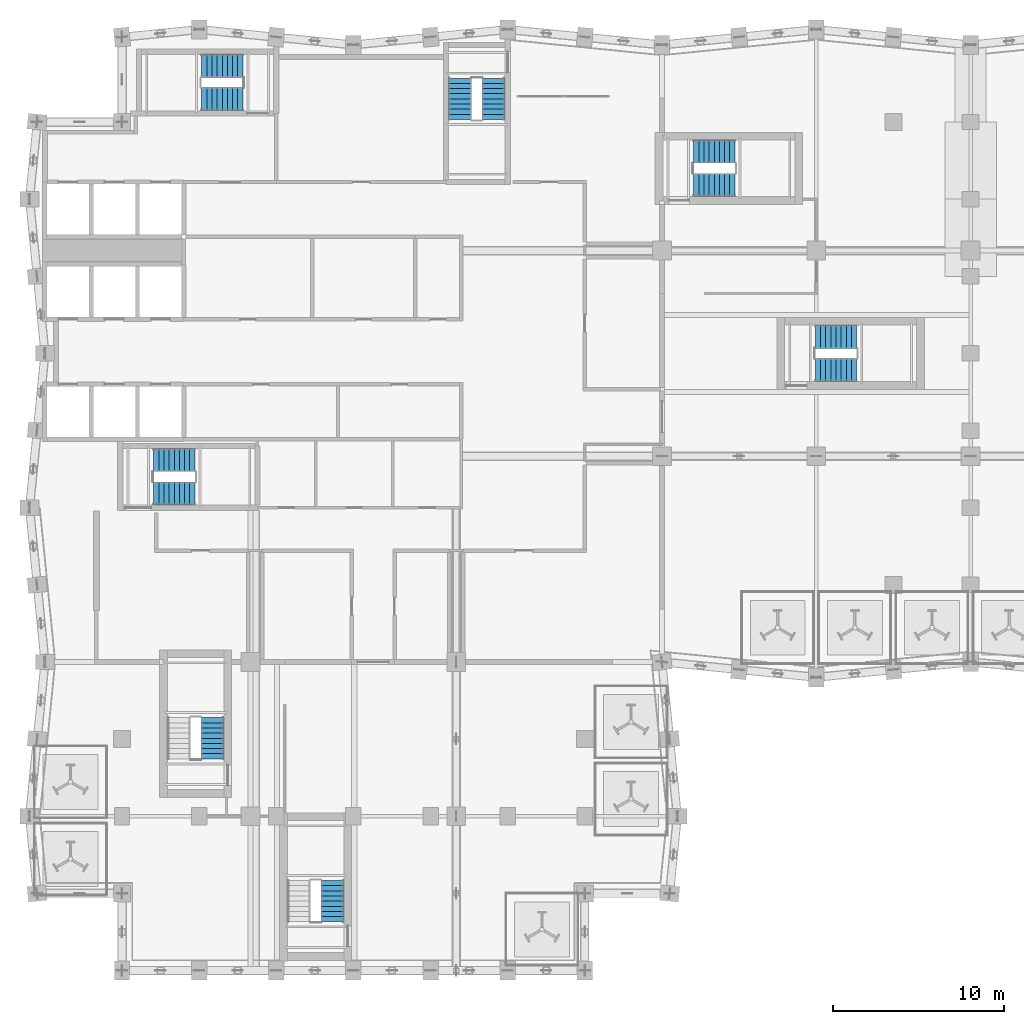
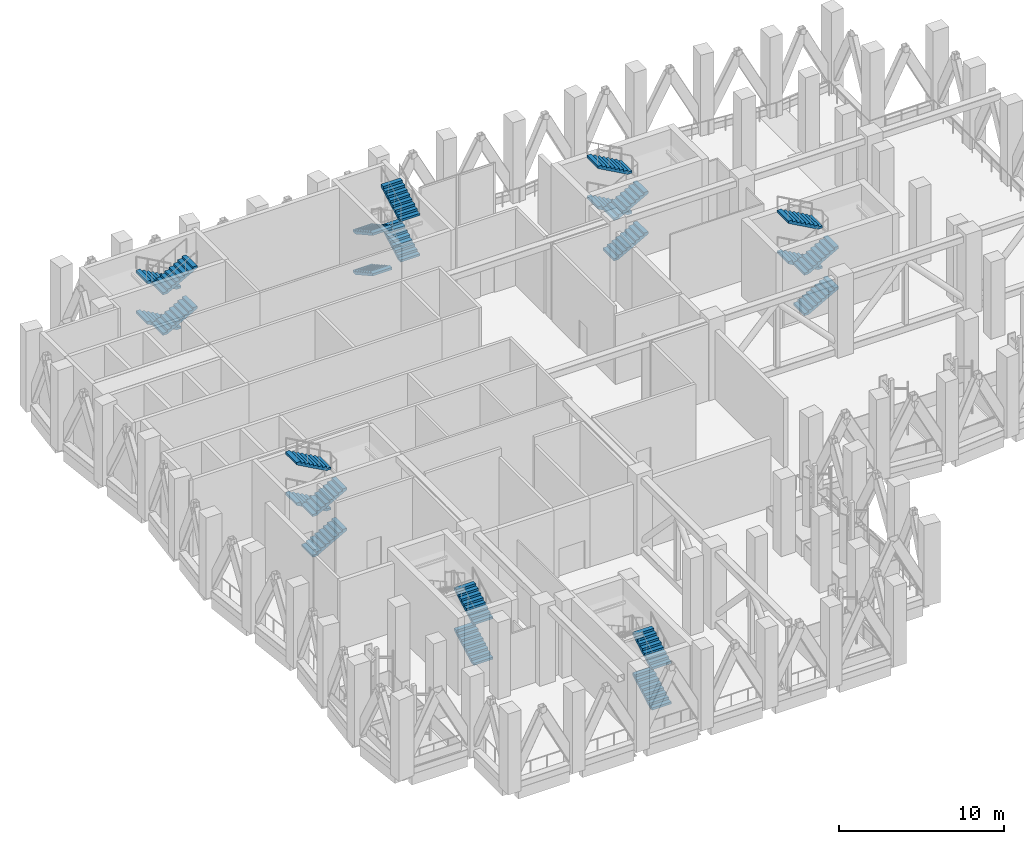
# One storey, part 18 of 28: 24 stair flights, 7 elements without a shape of their own.
"""IFC4 building model written with IfcOpenShell, lengths in metres."""

from ifc_helpers import new_model, si_unit, direction, frame, origin, place, context, subcontext, project, spatial, polyline, outline, extrude, material, type_object, element, aggregate, save


model = new_model("IFC4")

# Units and contexts
model_context = context("Model", 3, precision=1e-05, world=origin(), true_north=direction((0.0, 1.0)))
body_context = subcontext(model_context, "Body", "Model", "MODEL_VIEW")
ifc_project = project(units=[si_unit("LENGTHUNIT", "METRE"), si_unit("AREAUNIT", "SQUARE_METRE"), si_unit("VOLUMEUNIT", "CUBIC_METRE"), si_unit("PLANEANGLEUNIT", "RADIAN"), si_unit("MASSUNIT", "GRAM", prefix="KILO")], contexts=[model_context])

# Site, building, storey
site_placement = place(None, origin())
site = spatial("IfcSite", under=ifc_project, at=site_placement, CompositionType="ELEMENT")
building_placement = place(site_placement, origin())
building = spatial("IfcBuilding", under=site, at=building_placement, Name="Brondeck Convention Tower", CompositionType="ELEMENT")
storey_placement = place(building_placement, frame((0.0, 0.0, 192.800048828125)))
storey = spatial("IfcBuildingStorey", under=building, at=storey_placement, Name="L47", CompositionType="ELEMENT", Elevation=192.800048828125)

# Stair, stair flights
ifc_material = material(Name="Precast concrete C50/60", Category="concrete")
stair_type = type_object("IfcStairType", Name="Core stair 36 risers 166.67 mm riser 300 mm going 1350 wide", PredefinedType="HALF_TURN_STAIR", material=ifc_material)
stair_1_placement = place(storey_placement, origin())
stair_1 = element("IfcStair", 1, at=stair_1_placement, inside=storey, type_object=stair_type, Name="ST-1 L47 stair", PredefinedType="HALF_TURN_STAIR")
stair_flight_type = type_object("IfcStairFlightType", Name="Core stair flight 36 risers 166.67 mm riser 300 mm going 1350 wide", PredefinedType="STRAIGHT", material=ifc_material)
stair_flight_1_placement = place(storey_placement, frame((6.35009765625, 36.824951171875, 0.0), z_axis=(0.0, 0.0, 1.0), x_axis=(1.0, 0.0, 0.0)))
stair_flight_1 = element("IfcStairFlight", 2, at=stair_flight_1_placement, type_object=stair_flight_type, Name="ST-1 flight 1", NumberOfRisers=9, NumberOfTreads=8, PredefinedType="STRAIGHT", RiserHeight=0.166666667, TreadLength=0.3, context=body_context, shape_type="SweptSolid", body=[
    extrude(outline(polyline([(0.0, 0.0), (0.0, 0.166748046875), (0.300048828125, 0.166748046875), (0.300048828125, 0.333251953125), (0.60009765625, 0.333251953125), (0.60009765625, 0.5), (0.89990234375, 0.5), (0.89990234375, 0.666748046875), (1.199951171875, 0.666748046875), (1.199951171875, 0.833251953125), (1.5, 0.833251953125), (1.5, 1.0), (1.800048828125, 1.0), (1.800048828125, 1.166748046875), (2.10009765625, 1.166748046875), (2.10009765625, 1.333251953125), (2.39990234375, 1.333251953125), (2.39990234375, 1.5), (2.39990234375, 1.161865234375), (0.30859375, 0.0), (0.0, 0.0)])), frame((0.0, 0.675048828125, 0.0), z_axis=(0.0, -1.0, 0.0), x_axis=(1.0, 0.0, 0.0)), (0.0, 0.0, 1.0), 1.35009765625),
])
stair_flight_2_placement = place(storey_placement, frame((8.75, 38.77490234375, 1.5), z_axis=(0.0, 0.0, 1.0), x_axis=(-1.0, 0.0, 0.0)))
stair_flight_2 = element("IfcStairFlight", 3, at=stair_flight_2_placement, type_object=stair_flight_type, Name="ST-1 flight 2", NumberOfRisers=9, NumberOfTreads=8, PredefinedType="STRAIGHT", RiserHeight=0.166666667, TreadLength=0.3, context=body_context, shape_type="SweptSolid", body=[
    extrude(outline(polyline([(0.0, 0.0), (0.0, 0.166748046875), (0.300048828125, 0.166748046875), (0.300048828125, 0.333251953125), (0.60009765625, 0.333251953125), (0.60009765625, 0.5), (0.89990234375, 0.5), (0.89990234375, 0.666748046875), (1.199951171875, 0.666748046875), (1.199951171875, 0.833251953125), (1.5, 0.833251953125), (1.5, 1.0), (1.800048828125, 1.0), (1.800048828125, 1.166748046875), (2.10009765625, 1.166748046875), (2.10009765625, 1.333251953125), (2.39990234375, 1.333251953125), (2.39990234375, 1.5), (2.39990234375, 1.161865234375), (0.30859375, 0.0), (0.0, 0.0)])), frame((0.0, 0.675048828125, 0.0), z_axis=(0.0, -1.0, 0.0), x_axis=(1.0, 0.0, 0.0)), (0.0, 0.0, 1.0), 1.35009765625),
])
stair_flight_3_placement = place(storey_placement, frame((6.35009765625, 36.824951171875, 3.0), z_axis=(0.0, 0.0, 1.0), x_axis=(1.0, 0.0, 0.0)))
stair_flight_3 = element("IfcStairFlight", 4, at=stair_flight_3_placement, type_object=stair_flight_type, Name="ST-1 flight 3", NumberOfRisers=9, NumberOfTreads=8, PredefinedType="STRAIGHT", RiserHeight=0.166666667, TreadLength=0.3, context=body_context, shape_type="SweptSolid", body=[
    extrude(outline(polyline([(0.0, 0.0), (0.0, 0.166748046875), (0.300048828125, 0.166748046875), (0.300048828125, 0.333251953125), (0.60009765625, 0.333251953125), (0.60009765625, 0.5), (0.89990234375, 0.5), (0.89990234375, 0.666748046875), (1.199951171875, 0.666748046875), (1.199951171875, 0.833251953125), (1.5, 0.833251953125), (1.5, 1.0), (1.800048828125, 1.0), (1.800048828125, 1.166748046875), (2.10009765625, 1.166748046875), (2.10009765625, 1.333251953125), (2.39990234375, 1.333251953125), (2.39990234375, 1.5), (2.39990234375, 1.161865234375), (0.30859375, 0.0), (0.0, 0.0)])), frame((0.0, 0.675048828125, 0.0), z_axis=(0.0, -1.0, 0.0), x_axis=(1.0, 0.0, 0.0)), (0.0, 0.0, 1.0), 1.35009765625),
])
stair_flight_4_placement = place(storey_placement, frame((8.75, 38.77490234375, 4.5), z_axis=(0.0, 0.0, 1.0), x_axis=(-1.0, 0.0, 0.0)))
stair_flight_4 = element("IfcStairFlight", 5, at=stair_flight_4_placement, type_object=stair_flight_type, Name="ST-1 flight 4", NumberOfRisers=9, NumberOfTreads=8, PredefinedType="STRAIGHT", RiserHeight=0.166666667, TreadLength=0.3, context=body_context, shape_type="SweptSolid", body=[
    extrude(outline(polyline([(0.0, 0.0), (0.0, 0.166748046875), (0.300048828125, 0.166748046875), (0.300048828125, 0.333251953125), (0.60009765625, 0.333251953125), (0.60009765625, 0.5), (0.89990234375, 0.5), (0.89990234375, 0.666748046875), (1.199951171875, 0.666748046875), (1.199951171875, 0.833251953125), (1.5, 0.833251953125), (1.5, 1.0), (1.800048828125, 1.0), (1.800048828125, 1.166748046875), (2.10009765625, 1.166748046875), (2.10009765625, 1.333251953125), (2.39990234375, 1.333251953125), (2.39990234375, 1.5), (2.39990234375, 1.161865234375), (0.30859375, 0.0), (0.0, 0.0)])), frame((0.0, 0.675048828125, 0.0), z_axis=(0.0, -1.0, 0.0), x_axis=(1.0, 0.0, 0.0)), (0.0, 0.0, 1.0), 1.35009765625),
])
aggregate(stair_1, [stair_flight_1, stair_flight_2, stair_flight_3, stair_flight_4])

stair_2_placement = place(storey_placement, origin())
stair_2 = element("IfcStair", 6, at=stair_2_placement, inside=storey, type_object=stair_type, Name="ST-2 L47 stair", PredefinedType="HALF_TURN_STAIR")
stair_flight_5_placement = place(storey_placement, frame((24.22509765625, 61.050048828125, 0.0), z_axis=(0.0, 0.0, 1.0), x_axis=(0.0, -1.0, 0.0)))
stair_flight_5 = element("IfcStairFlight", 7, at=stair_flight_5_placement, type_object=stair_flight_type, Name="ST-2 flight 1", NumberOfRisers=9, NumberOfTreads=8, PredefinedType="STRAIGHT", RiserHeight=0.166666667, TreadLength=0.3, context=body_context, shape_type="SweptSolid", body=[
    extrude(outline(polyline([(0.0, 0.0), (0.0, 0.166748046875), (0.300048828125, 0.166748046875), (0.300048828125, 0.333251953125), (0.60009765625, 0.333251953125), (0.60009765625, 0.5), (0.89990234375, 0.5), (0.89990234375, 0.666748046875), (1.199951171875, 0.666748046875), (1.199951171875, 0.833251953125), (1.5, 0.833251953125), (1.5, 1.0), (1.800048828125, 1.0), (1.800048828125, 1.166748046875), (2.10009765625, 1.166748046875), (2.10009765625, 1.333251953125), (2.39990234375, 1.333251953125), (2.39990234375, 1.5), (2.39990234375, 1.161865234375), (0.30859375, 0.0), (0.0, 0.0)])), frame((0.0, 0.675048828125, 0.0), z_axis=(0.0, -1.0, 0.0), x_axis=(1.0, 0.0, 0.0)), (0.0, 0.0, 1.0), 1.35009765625),
])
stair_flight_6_placement = place(storey_placement, frame((26.175048828125, 58.64990234375, 1.5), z_axis=(0.0, 0.0, 1.0), x_axis=(0.0, 1.0, 0.0)))
stair_flight_6 = element("IfcStairFlight", 8, at=stair_flight_6_placement, type_object=stair_flight_type, Name="ST-2 flight 2", NumberOfRisers=9, NumberOfTreads=8, PredefinedType="STRAIGHT", RiserHeight=0.166666667, TreadLength=0.3, context=body_context, shape_type="SweptSolid", body=[
    extrude(outline(polyline([(0.0, 0.0), (0.0, 0.166748046875), (0.300048828125, 0.166748046875), (0.300048828125, 0.333251953125), (0.60009765625, 0.333251953125), (0.60009765625, 0.5), (0.89990234375, 0.5), (0.89990234375, 0.666748046875), (1.199951171875, 0.666748046875), (1.199951171875, 0.833251953125), (1.5, 0.833251953125), (1.5, 1.0), (1.800048828125, 1.0), (1.800048828125, 1.166748046875), (2.10009765625, 1.166748046875), (2.10009765625, 1.333251953125), (2.39990234375, 1.333251953125), (2.39990234375, 1.5), (2.39990234375, 1.161865234375), (0.30859375, 0.0), (0.0, 0.0)])), frame((0.0, 0.675048828125, 0.0), z_axis=(0.0, -1.0, 0.0), x_axis=(1.0, 0.0, 0.0)), (0.0, 0.0, 1.0), 1.35009765625),
])
stair_flight_7_placement = place(storey_placement, frame((24.22509765625, 61.050048828125, 3.0), z_axis=(0.0, 0.0, 1.0), x_axis=(0.0, -1.0, 0.0)))
stair_flight_7 = element("IfcStairFlight", 9, at=stair_flight_7_placement, type_object=stair_flight_type, Name="ST-2 flight 3", NumberOfRisers=9, NumberOfTreads=8, PredefinedType="STRAIGHT", RiserHeight=0.166666667, TreadLength=0.3, context=body_context, shape_type="SweptSolid", body=[
    extrude(outline(polyline([(0.0, 0.0), (0.0, 0.166748046875), (0.300048828125, 0.166748046875), (0.300048828125, 0.333251953125), (0.60009765625, 0.333251953125), (0.60009765625, 0.5), (0.89990234375, 0.5), (0.89990234375, 0.666748046875), (1.199951171875, 0.666748046875), (1.199951171875, 0.833251953125), (1.5, 0.833251953125), (1.5, 1.0), (1.800048828125, 1.0), (1.800048828125, 1.166748046875), (2.10009765625, 1.166748046875), (2.10009765625, 1.333251953125), (2.39990234375, 1.333251953125), (2.39990234375, 1.5), (2.39990234375, 1.161865234375), (0.30859375, 0.0), (0.0, 0.0)])), frame((0.0, 0.675048828125, 0.0), z_axis=(0.0, -1.0, 0.0), x_axis=(1.0, 0.0, 0.0)), (0.0, 0.0, 1.0), 1.35009765625),
])
stair_flight_8_placement = place(storey_placement, frame((26.175048828125, 58.64990234375, 4.5), z_axis=(0.0, 0.0, 1.0), x_axis=(0.0, 1.0, 0.0)))
stair_flight_8 = element("IfcStairFlight", 10, at=stair_flight_8_placement, type_object=stair_flight_type, Name="ST-2 flight 4", NumberOfRisers=9, NumberOfTreads=8, PredefinedType="STRAIGHT", RiserHeight=0.166666667, TreadLength=0.3, context=body_context, shape_type="SweptSolid", body=[
    extrude(outline(polyline([(0.0, 0.0), (0.0, 0.166748046875), (0.300048828125, 0.166748046875), (0.300048828125, 0.333251953125), (0.60009765625, 0.333251953125), (0.60009765625, 0.5), (0.89990234375, 0.5), (0.89990234375, 0.666748046875), (1.199951171875, 0.666748046875), (1.199951171875, 0.833251953125), (1.5, 0.833251953125), (1.5, 1.0), (1.800048828125, 1.0), (1.800048828125, 1.166748046875), (2.10009765625, 1.166748046875), (2.10009765625, 1.333251953125), (2.39990234375, 1.333251953125), (2.39990234375, 1.5), (2.39990234375, 1.161865234375), (0.30859375, 0.0), (0.0, 0.0)])), frame((0.0, 0.675048828125, 0.0), z_axis=(0.0, -1.0, 0.0), x_axis=(1.0, 0.0, 0.0)), (0.0, 0.0, 1.0), 1.35009765625),
])
aggregate(stair_2, [stair_flight_5, stair_flight_6, stair_flight_7, stair_flight_8])

stair_3_placement = place(storey_placement, origin())
stair_3 = element("IfcStair", 11, at=stair_3_placement, inside=storey, type_object=stair_type, Name="ST-3 L47 stair", PredefinedType="HALF_TURN_STAIR")
stair_flight_9_placement = place(storey_placement, frame((11.550048828125, 61.77490234375, 0.0), z_axis=(0.0, 0.0, 1.0), x_axis=(-1.0, 0.0, 0.0)))
stair_flight_9 = element("IfcStairFlight", 12, at=stair_flight_9_placement, type_object=stair_flight_type, Name="ST-3 flight 1", NumberOfRisers=9, NumberOfTreads=8, PredefinedType="STRAIGHT", RiserHeight=0.166666667, TreadLength=0.3, context=body_context, shape_type="SweptSolid", body=[
    extrude(outline(polyline([(0.0, 0.0), (0.0, 0.166748046875), (0.300048828125, 0.166748046875), (0.300048828125, 0.333251953125), (0.60009765625, 0.333251953125), (0.60009765625, 0.5), (0.89990234375, 0.5), (0.89990234375, 0.666748046875), (1.199951171875, 0.666748046875), (1.199951171875, 0.833251953125), (1.5, 0.833251953125), (1.5, 1.0), (1.800048828125, 1.0), (1.800048828125, 1.166748046875), (2.10009765625, 1.166748046875), (2.10009765625, 1.333251953125), (2.39990234375, 1.333251953125), (2.39990234375, 1.5), (2.39990234375, 1.161865234375), (0.30859375, 0.0), (0.0, 0.0)])), frame((0.0, 0.675048828125, 0.0), z_axis=(0.0, -1.0, 0.0), x_axis=(1.0, 0.0, 0.0)), (0.0, 0.0, 1.0), 1.35009765625),
])
stair_flight_10_placement = place(storey_placement, frame((9.14990234375, 59.824951171875, 1.5), z_axis=(0.0, 0.0, 1.0), x_axis=(1.0, 0.0, 0.0)))
stair_flight_10 = element("IfcStairFlight", 13, at=stair_flight_10_placement, type_object=stair_flight_type, Name="ST-3 flight 2", NumberOfRisers=9, NumberOfTreads=8, PredefinedType="STRAIGHT", RiserHeight=0.166666667, TreadLength=0.3, context=body_context, shape_type="SweptSolid", body=[
    extrude(outline(polyline([(0.0, 0.0), (0.0, 0.166748046875), (0.300048828125, 0.166748046875), (0.300048828125, 0.333251953125), (0.60009765625, 0.333251953125), (0.60009765625, 0.5), (0.89990234375, 0.5), (0.89990234375, 0.666748046875), (1.199951171875, 0.666748046875), (1.199951171875, 0.833251953125), (1.5, 0.833251953125), (1.5, 1.0), (1.800048828125, 1.0), (1.800048828125, 1.166748046875), (2.10009765625, 1.166748046875), (2.10009765625, 1.333251953125), (2.39990234375, 1.333251953125), (2.39990234375, 1.5), (2.39990234375, 1.161865234375), (0.30859375, 0.0), (0.0, 0.0)])), frame((0.0, 0.675048828125, 0.0), z_axis=(0.0, -1.0, 0.0), x_axis=(1.0, 0.0, 0.0)), (0.0, 0.0, 1.0), 1.35009765625),
])
stair_flight_11_placement = place(storey_placement, frame((11.550048828125, 61.77490234375, 3.0), z_axis=(0.0, 0.0, 1.0), x_axis=(-1.0, 0.0, 0.0)))
stair_flight_11 = element("IfcStairFlight", 14, at=stair_flight_11_placement, type_object=stair_flight_type, Name="ST-3 flight 3", NumberOfRisers=9, NumberOfTreads=8, PredefinedType="STRAIGHT", RiserHeight=0.166666667, TreadLength=0.3, context=body_context, shape_type="SweptSolid", body=[
    extrude(outline(polyline([(0.0, 0.0), (0.0, 0.166748046875), (0.300048828125, 0.166748046875), (0.300048828125, 0.333251953125), (0.60009765625, 0.333251953125), (0.60009765625, 0.5), (0.89990234375, 0.5), (0.89990234375, 0.666748046875), (1.199951171875, 0.666748046875), (1.199951171875, 0.833251953125), (1.5, 0.833251953125), (1.5, 1.0), (1.800048828125, 1.0), (1.800048828125, 1.166748046875), (2.10009765625, 1.166748046875), (2.10009765625, 1.333251953125), (2.39990234375, 1.333251953125), (2.39990234375, 1.5), (2.39990234375, 1.161865234375), (0.30859375, 0.0), (0.0, 0.0)])), frame((0.0, 0.675048828125, 0.0), z_axis=(0.0, -1.0, 0.0), x_axis=(1.0, 0.0, 0.0)), (0.0, 0.0, 1.0), 1.35009765625),
])
stair_flight_12_placement = place(storey_placement, frame((9.14990234375, 59.824951171875, 4.5), z_axis=(0.0, 0.0, 1.0), x_axis=(1.0, 0.0, 0.0)))
stair_flight_12 = element("IfcStairFlight", 15, at=stair_flight_12_placement, type_object=stair_flight_type, Name="ST-3 flight 4", NumberOfRisers=9, NumberOfTreads=8, PredefinedType="STRAIGHT", RiserHeight=0.166666667, TreadLength=0.3, context=body_context, shape_type="SweptSolid", body=[
    extrude(outline(polyline([(0.0, 0.0), (0.0, 0.166748046875), (0.300048828125, 0.166748046875), (0.300048828125, 0.333251953125), (0.60009765625, 0.333251953125), (0.60009765625, 0.5), (0.89990234375, 0.5), (0.89990234375, 0.666748046875), (1.199951171875, 0.666748046875), (1.199951171875, 0.833251953125), (1.5, 0.833251953125), (1.5, 1.0), (1.800048828125, 1.0), (1.800048828125, 1.166748046875), (2.10009765625, 1.166748046875), (2.10009765625, 1.333251953125), (2.39990234375, 1.333251953125), (2.39990234375, 1.5), (2.39990234375, 1.161865234375), (0.30859375, 0.0), (0.0, 0.0)])), frame((0.0, 0.675048828125, 0.0), z_axis=(0.0, -1.0, 0.0), x_axis=(1.0, 0.0, 0.0)), (0.0, 0.0, 1.0), 1.35009765625),
])
aggregate(stair_3, [stair_flight_9, stair_flight_10, stair_flight_11, stair_flight_12])

stair_4_placement = place(storey_placement, origin())
stair_4 = element("IfcStair", 16, at=stair_4_placement, inside=storey, type_object=stair_type, Name="ST-AE L47 stair", PredefinedType="HALF_TURN_STAIR")
stair_flight_13_placement = place(storey_placement, frame((37.85009765625, 54.824951171875, 0.0), z_axis=(0.0, 0.0, 1.0), x_axis=(1.0, 0.0, 0.0)))
stair_flight_13 = element("IfcStairFlight", 17, at=stair_flight_13_placement, type_object=stair_flight_type, Name="ST-AE flight 1", NumberOfRisers=9, NumberOfTreads=8, PredefinedType="STRAIGHT", RiserHeight=0.166666667, TreadLength=0.3, context=body_context, shape_type="SweptSolid", body=[
    extrude(outline(polyline([(0.0, 0.0), (0.0, 0.166748046875), (0.300048828125, 0.166748046875), (0.300048828125, 0.333251953125), (0.60009765625, 0.333251953125), (0.60009765625, 0.5), (0.89990234375, 0.5), (0.89990234375, 0.666748046875), (1.199951171875, 0.666748046875), (1.199951171875, 0.833251953125), (1.5, 0.833251953125), (1.5, 1.0), (1.800048828125, 1.0), (1.800048828125, 1.166748046875), (2.10009765625, 1.166748046875), (2.10009765625, 1.333251953125), (2.39990234375, 1.333251953125), (2.39990234375, 1.5), (2.39990234375, 1.161865234375), (0.30859375, 0.0), (0.0, 0.0)])), frame((0.0, 0.675048828125, 0.0), z_axis=(0.0, -1.0, 0.0), x_axis=(1.0, 0.0, 0.0)), (0.0, 0.0, 1.0), 1.35009765625),
])
stair_flight_14_placement = place(storey_placement, frame((40.25, 56.77490234375, 1.5), z_axis=(0.0, 0.0, 1.0), x_axis=(-1.0, 0.0, 0.0)))
stair_flight_14 = element("IfcStairFlight", 18, at=stair_flight_14_placement, type_object=stair_flight_type, Name="ST-AE flight 2", NumberOfRisers=9, NumberOfTreads=8, PredefinedType="STRAIGHT", RiserHeight=0.166666667, TreadLength=0.3, context=body_context, shape_type="SweptSolid", body=[
    extrude(outline(polyline([(0.0, 0.0), (0.0, 0.166748046875), (0.300048828125, 0.166748046875), (0.300048828125, 0.333251953125), (0.60009765625, 0.333251953125), (0.60009765625, 0.5), (0.89990234375, 0.5), (0.89990234375, 0.666748046875), (1.199951171875, 0.666748046875), (1.199951171875, 0.833251953125), (1.5, 0.833251953125), (1.5, 1.0), (1.800048828125, 1.0), (1.800048828125, 1.166748046875), (2.10009765625, 1.166748046875), (2.10009765625, 1.333251953125), (2.39990234375, 1.333251953125), (2.39990234375, 1.5), (2.39990234375, 1.161865234375), (0.30859375, 0.0), (0.0, 0.0)])), frame((0.0, 0.675048828125, 0.0), z_axis=(0.0, -1.0, 0.0), x_axis=(1.0, 0.0, 0.0)), (0.0, 0.0, 1.0), 1.35009765625),
])
stair_flight_15_placement = place(storey_placement, frame((37.85009765625, 54.824951171875, 3.0), z_axis=(0.0, 0.0, 1.0), x_axis=(1.0, 0.0, 0.0)))
stair_flight_15 = element("IfcStairFlight", 19, at=stair_flight_15_placement, type_object=stair_flight_type, Name="ST-AE flight 3", NumberOfRisers=9, NumberOfTreads=8, PredefinedType="STRAIGHT", RiserHeight=0.166666667, TreadLength=0.3, context=body_context, shape_type="SweptSolid", body=[
    extrude(outline(polyline([(0.0, 0.0), (0.0, 0.166748046875), (0.300048828125, 0.166748046875), (0.300048828125, 0.333251953125), (0.60009765625, 0.333251953125), (0.60009765625, 0.5), (0.89990234375, 0.5), (0.89990234375, 0.666748046875), (1.199951171875, 0.666748046875), (1.199951171875, 0.833251953125), (1.5, 0.833251953125), (1.5, 1.0), (1.800048828125, 1.0), (1.800048828125, 1.166748046875), (2.10009765625, 1.166748046875), (2.10009765625, 1.333251953125), (2.39990234375, 1.333251953125), (2.39990234375, 1.5), (2.39990234375, 1.161865234375), (0.30859375, 0.0), (0.0, 0.0)])), frame((0.0, 0.675048828125, 0.0), z_axis=(0.0, -1.0, 0.0), x_axis=(1.0, 0.0, 0.0)), (0.0, 0.0, 1.0), 1.35009765625),
])
stair_flight_16_placement = place(storey_placement, frame((40.25, 56.77490234375, 4.5), z_axis=(0.0, 0.0, 1.0), x_axis=(-1.0, 0.0, 0.0)))
stair_flight_16 = element("IfcStairFlight", 20, at=stair_flight_16_placement, type_object=stair_flight_type, Name="ST-AE flight 4", NumberOfRisers=9, NumberOfTreads=8, PredefinedType="STRAIGHT", RiserHeight=0.166666667, TreadLength=0.3, context=body_context, shape_type="SweptSolid", body=[
    extrude(outline(polyline([(0.0, 0.0), (0.0, 0.166748046875), (0.300048828125, 0.166748046875), (0.300048828125, 0.333251953125), (0.60009765625, 0.333251953125), (0.60009765625, 0.5), (0.89990234375, 0.5), (0.89990234375, 0.666748046875), (1.199951171875, 0.666748046875), (1.199951171875, 0.833251953125), (1.5, 0.833251953125), (1.5, 1.0), (1.800048828125, 1.0), (1.800048828125, 1.166748046875), (2.10009765625, 1.166748046875), (2.10009765625, 1.333251953125), (2.39990234375, 1.333251953125), (2.39990234375, 1.5), (2.39990234375, 1.161865234375), (0.30859375, 0.0), (0.0, 0.0)])), frame((0.0, 0.675048828125, 0.0), z_axis=(0.0, -1.0, 0.0), x_axis=(1.0, 0.0, 0.0)), (0.0, 0.0, 1.0), 1.35009765625),
])
aggregate(stair_4, [stair_flight_13, stair_flight_14, stair_flight_15, stair_flight_16])

stair_5_placement = place(storey_placement, origin())
stair_5 = element("IfcStair", 21, at=stair_5_placement, inside=storey, type_object=stair_type, Name="ST-BE L47 stair", PredefinedType="HALF_TURN_STAIR")
stair_flight_17_placement = place(storey_placement, frame((9.77490234375, 21.35009765625, 0.0), z_axis=(0.0, 0.0, 1.0), x_axis=(0.0, 1.0, 0.0)))
stair_flight_17 = element("IfcStairFlight", 22, at=stair_flight_17_placement, type_object=stair_flight_type, Name="ST-BE flight 1", NumberOfRisers=9, NumberOfTreads=8, PredefinedType="STRAIGHT", RiserHeight=0.166666667, TreadLength=0.3, context=body_context, shape_type="SweptSolid", body=[
    extrude(outline(polyline([(0.0, 0.0), (0.0, 0.166748046875), (0.300048828125, 0.166748046875), (0.300048828125, 0.333251953125), (0.60009765625, 0.333251953125), (0.60009765625, 0.5), (0.89990234375, 0.5), (0.89990234375, 0.666748046875), (1.199951171875, 0.666748046875), (1.199951171875, 0.833251953125), (1.5, 0.833251953125), (1.5, 1.0), (1.800048828125, 1.0), (1.800048828125, 1.166748046875), (2.10009765625, 1.166748046875), (2.10009765625, 1.333251953125), (2.39990234375, 1.333251953125), (2.39990234375, 1.5), (2.39990234375, 1.161865234375), (0.30859375, 0.0), (0.0, 0.0)])), frame((0.0, 0.675048828125, 0.0), z_axis=(0.0, -1.0, 0.0), x_axis=(1.0, 0.0, 0.0)), (0.0, 0.0, 1.0), 1.35009765625),
])
stair_flight_18_placement = place(storey_placement, frame((9.77490234375, 21.35009765625, 3.0), z_axis=(0.0, 0.0, 1.0), x_axis=(0.0, 1.0, 0.0)))
stair_flight_18 = element("IfcStairFlight", 23, at=stair_flight_18_placement, type_object=stair_flight_type, Name="ST-BE flight 3", NumberOfRisers=9, NumberOfTreads=8, PredefinedType="STRAIGHT", RiserHeight=0.166666667, TreadLength=0.3, context=body_context, shape_type="SweptSolid", body=[
    extrude(outline(polyline([(0.0, 0.0), (0.0, 0.166748046875), (0.300048828125, 0.166748046875), (0.300048828125, 0.333251953125), (0.60009765625, 0.333251953125), (0.60009765625, 0.5), (0.89990234375, 0.5), (0.89990234375, 0.666748046875), (1.199951171875, 0.666748046875), (1.199951171875, 0.833251953125), (1.5, 0.833251953125), (1.5, 1.0), (1.800048828125, 1.0), (1.800048828125, 1.166748046875), (2.10009765625, 1.166748046875), (2.10009765625, 1.333251953125), (2.39990234375, 1.333251953125), (2.39990234375, 1.5), (2.39990234375, 1.161865234375), (0.30859375, 0.0), (0.0, 0.0)])), frame((0.0, 0.675048828125, 0.0), z_axis=(0.0, -1.0, 0.0), x_axis=(1.0, 0.0, 0.0)), (0.0, 0.0, 1.0), 1.35009765625),
])
aggregate(stair_5, [stair_flight_17, stair_flight_18])

stair_6_placement = place(storey_placement, origin())
stair_6 = element("IfcStair", 24, at=stair_6_placement, inside=storey, type_object=stair_type, Name="ST-AF L47 stair", PredefinedType="HALF_TURN_STAIR")
stair_flight_19_placement = place(storey_placement, frame((44.949951171875, 44.02490234375, 0.0), z_axis=(0.0, 0.0, 1.0), x_axis=(1.0, 0.0, 0.0)))
stair_flight_19 = element("IfcStairFlight", 25, at=stair_flight_19_placement, type_object=stair_flight_type, Name="ST-AF flight 1", NumberOfRisers=9, NumberOfTreads=8, PredefinedType="STRAIGHT", RiserHeight=0.166666667, TreadLength=0.3, context=body_context, shape_type="SweptSolid", body=[
    extrude(outline(polyline([(0.0, 0.0), (0.0, 0.166748046875), (0.300048828125, 0.166748046875), (0.300048828125, 0.333251953125), (0.60009765625, 0.333251953125), (0.60009765625, 0.5), (0.89990234375, 0.5), (0.89990234375, 0.666748046875), (1.199951171875, 0.666748046875), (1.199951171875, 0.833251953125), (1.5, 0.833251953125), (1.5, 1.0), (1.800048828125, 1.0), (1.800048828125, 1.166748046875), (2.10009765625, 1.166748046875), (2.10009765625, 1.333251953125), (2.39990234375, 1.333251953125), (2.39990234375, 1.5), (2.39990234375, 1.161865234375), (0.30859375, 0.0), (0.0, 0.0)])), frame((0.0, 0.675048828125, 0.0), z_axis=(0.0, -1.0, 0.0), x_axis=(1.0, 0.0, 0.0)), (0.0, 0.0, 1.0), 1.35009765625),
])
stair_flight_20_placement = place(storey_placement, frame((47.35009765625, 45.97509765625, 1.5), z_axis=(0.0, 0.0, 1.0), x_axis=(-1.0, 0.0, 0.0)))
stair_flight_20 = element("IfcStairFlight", 26, at=stair_flight_20_placement, type_object=stair_flight_type, Name="ST-AF flight 2", NumberOfRisers=9, NumberOfTreads=8, PredefinedType="STRAIGHT", RiserHeight=0.166666667, TreadLength=0.3, context=body_context, shape_type="SweptSolid", body=[
    extrude(outline(polyline([(0.0, 0.0), (0.0, 0.166748046875), (0.300048828125, 0.166748046875), (0.300048828125, 0.333251953125), (0.60009765625, 0.333251953125), (0.60009765625, 0.5), (0.89990234375, 0.5), (0.89990234375, 0.666748046875), (1.199951171875, 0.666748046875), (1.199951171875, 0.833251953125), (1.5, 0.833251953125), (1.5, 1.0), (1.800048828125, 1.0), (1.800048828125, 1.166748046875), (2.10009765625, 1.166748046875), (2.10009765625, 1.333251953125), (2.39990234375, 1.333251953125), (2.39990234375, 1.5), (2.39990234375, 1.161865234375), (0.30859375, 0.0), (0.0, 0.0)])), frame((0.0, 0.675048828125, 0.0), z_axis=(0.0, -1.0, 0.0), x_axis=(1.0, 0.0, 0.0)), (0.0, 0.0, 1.0), 1.35009765625),
])
stair_flight_21_placement = place(storey_placement, frame((44.949951171875, 44.02490234375, 3.0), z_axis=(0.0, 0.0, 1.0), x_axis=(1.0, 0.0, 0.0)))
stair_flight_21 = element("IfcStairFlight", 27, at=stair_flight_21_placement, type_object=stair_flight_type, Name="ST-AF flight 3", NumberOfRisers=9, NumberOfTreads=8, PredefinedType="STRAIGHT", RiserHeight=0.166666667, TreadLength=0.3, context=body_context, shape_type="SweptSolid", body=[
    extrude(outline(polyline([(0.0, 0.0), (0.0, 0.166748046875), (0.300048828125, 0.166748046875), (0.300048828125, 0.333251953125), (0.60009765625, 0.333251953125), (0.60009765625, 0.5), (0.89990234375, 0.5), (0.89990234375, 0.666748046875), (1.199951171875, 0.666748046875), (1.199951171875, 0.833251953125), (1.5, 0.833251953125), (1.5, 1.0), (1.800048828125, 1.0), (1.800048828125, 1.166748046875), (2.10009765625, 1.166748046875), (2.10009765625, 1.333251953125), (2.39990234375, 1.333251953125), (2.39990234375, 1.5), (2.39990234375, 1.161865234375), (0.30859375, 0.0), (0.0, 0.0)])), frame((0.0, 0.675048828125, 0.0), z_axis=(0.0, -1.0, 0.0), x_axis=(1.0, 0.0, 0.0)), (0.0, 0.0, 1.0), 1.35009765625),
])
stair_flight_22_placement = place(storey_placement, frame((47.35009765625, 45.97509765625, 4.5), z_axis=(0.0, 0.0, 1.0), x_axis=(-1.0, 0.0, 0.0)))
stair_flight_22 = element("IfcStairFlight", 28, at=stair_flight_22_placement, type_object=stair_flight_type, Name="ST-AF flight 4", NumberOfRisers=9, NumberOfTreads=8, PredefinedType="STRAIGHT", RiserHeight=0.166666667, TreadLength=0.3, context=body_context, shape_type="SweptSolid", body=[
    extrude(outline(polyline([(0.0, 0.0), (0.0, 0.166748046875), (0.300048828125, 0.166748046875), (0.300048828125, 0.333251953125), (0.60009765625, 0.333251953125), (0.60009765625, 0.5), (0.89990234375, 0.5), (0.89990234375, 0.666748046875), (1.199951171875, 0.666748046875), (1.199951171875, 0.833251953125), (1.5, 0.833251953125), (1.5, 1.0), (1.800048828125, 1.0), (1.800048828125, 1.166748046875), (2.10009765625, 1.166748046875), (2.10009765625, 1.333251953125), (2.39990234375, 1.333251953125), (2.39990234375, 1.5), (2.39990234375, 1.161865234375), (0.30859375, 0.0), (0.0, 0.0)])), frame((0.0, 0.675048828125, 0.0), z_axis=(0.0, -1.0, 0.0), x_axis=(1.0, 0.0, 0.0)), (0.0, 0.0, 1.0), 1.35009765625),
])
aggregate(stair_6, [stair_flight_19, stair_flight_20, stair_flight_21, stair_flight_22])

stair_7_placement = place(storey_placement, origin())
stair_7 = element("IfcStair", 29, at=stair_7_placement, inside=storey, type_object=stair_type, Name="ST-BF L47 stair", PredefinedType="HALF_TURN_STAIR")
stair_flight_23_placement = place(storey_placement, frame((16.77490234375, 11.85009765625, 0.0), z_axis=(0.0, 0.0, 1.0), x_axis=(0.0, 1.0, 0.0)))
stair_flight_23 = element("IfcStairFlight", 30, at=stair_flight_23_placement, type_object=stair_flight_type, Name="ST-BF flight 1", NumberOfRisers=9, NumberOfTreads=8, PredefinedType="STRAIGHT", RiserHeight=0.166666667, TreadLength=0.3, context=body_context, shape_type="SweptSolid", body=[
    extrude(outline(polyline([(0.0, 0.0), (0.0, 0.166748046875), (0.300048828125, 0.166748046875), (0.300048828125, 0.333251953125), (0.60009765625, 0.333251953125), (0.60009765625, 0.5), (0.89990234375, 0.5), (0.89990234375, 0.666748046875), (1.199951171875, 0.666748046875), (1.199951171875, 0.833251953125), (1.5, 0.833251953125), (1.5, 1.0), (1.800048828125, 1.0), (1.800048828125, 1.166748046875), (2.10009765625, 1.166748046875), (2.10009765625, 1.333251953125), (2.39990234375, 1.333251953125), (2.39990234375, 1.5), (2.39990234375, 1.161865234375), (0.30859375, 0.0), (0.0, 0.0)])), frame((0.0, 0.675048828125, 0.0), z_axis=(0.0, -1.0, 0.0), x_axis=(1.0, 0.0, 0.0)), (0.0, 0.0, 1.0), 1.35009765625),
])
stair_flight_24_placement = place(storey_placement, frame((16.77490234375, 11.85009765625, 3.0), z_axis=(0.0, 0.0, 1.0), x_axis=(0.0, 1.0, 0.0)))
stair_flight_24 = element("IfcStairFlight", 31, at=stair_flight_24_placement, type_object=stair_flight_type, Name="ST-BF flight 3", NumberOfRisers=9, NumberOfTreads=8, PredefinedType="STRAIGHT", RiserHeight=0.166666667, TreadLength=0.3, context=body_context, shape_type="SweptSolid", body=[
    extrude(outline(polyline([(0.0, 0.0), (0.0, 0.166748046875), (0.300048828125, 0.166748046875), (0.300048828125, 0.333251953125), (0.60009765625, 0.333251953125), (0.60009765625, 0.5), (0.89990234375, 0.5), (0.89990234375, 0.666748046875), (1.199951171875, 0.666748046875), (1.199951171875, 0.833251953125), (1.5, 0.833251953125), (1.5, 1.0), (1.800048828125, 1.0), (1.800048828125, 1.166748046875), (2.10009765625, 1.166748046875), (2.10009765625, 1.333251953125), (2.39990234375, 1.333251953125), (2.39990234375, 1.5), (2.39990234375, 1.161865234375), (0.30859375, 0.0), (0.0, 0.0)])), frame((0.0, 0.675048828125, 0.0), z_axis=(0.0, -1.0, 0.0), x_axis=(1.0, 0.0, 0.0)), (0.0, 0.0, 1.0), 1.35009765625),
])
aggregate(stair_7, [stair_flight_23, stair_flight_24])

save(model, "model.ifc")
